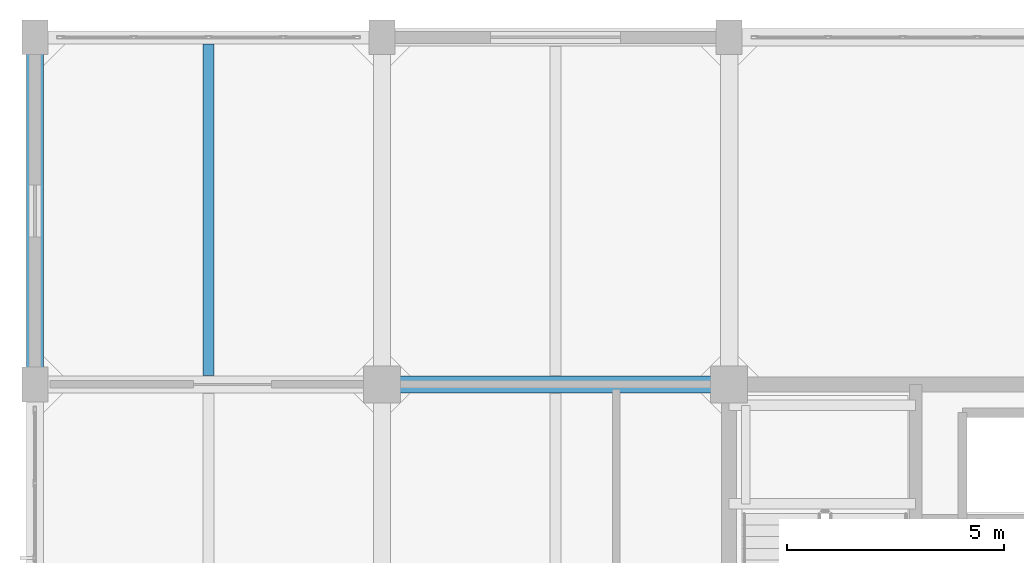
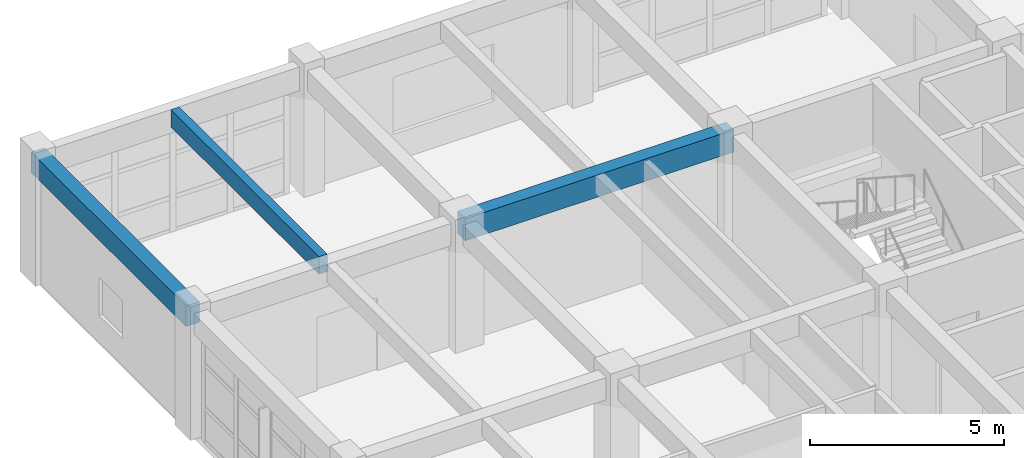
# One storey, part 14 of 30: 3 beams.
"""IFC4 building model written with IfcOpenShell, lengths in metres."""

from ifc_helpers import new_model, si_unit, direction, frame, origin, origin_2d, place, context, subcontext, project, spatial, rectangle, extrude, material, material_profile, profile_set, type_object, element, save


model = new_model("IFC4")

# Units and contexts
model_context = context("Model", 3, precision=1e-05, world=origin(), true_north=direction((0.0, 1.0)))
body_context = subcontext(model_context, "Body", "Model", "MODEL_VIEW")
ifc_project = project(units=[si_unit("LENGTHUNIT", "METRE"), si_unit("AREAUNIT", "SQUARE_METRE"), si_unit("VOLUMEUNIT", "CUBIC_METRE"), si_unit("PLANEANGLEUNIT", "RADIAN"), si_unit("MASSUNIT", "GRAM", prefix="KILO")], contexts=[model_context])

# Site, building, storey
site_placement = place(None, origin())
site = spatial("IfcSite", under=ifc_project, at=site_placement, CompositionType="ELEMENT")
building_placement = place(site_placement, origin())
building = spatial("IfcBuilding", under=site, at=building_placement, Name="Canggui Botanical Conservatory", CompositionType="ELEMENT")
storey_placement = place(building_placement, frame((0.0, 0.0, 27.60009765625)))
storey = spatial("IfcBuildingStorey", under=building, at=storey_placement, Name="L07", CompositionType="ELEMENT", Elevation=27.60009765625)

# Beams
ifc_material = material(Name="Concrete C35", Category="concrete")
ifc_material_profile_1 = material_profile(ifc_material, rectangle(XDim=0.25, YDim=0.550048828125, at=origin_2d()), Name="RB 250x550")
ifc_profile_set_1 = profile_set([ifc_material_profile_1], Name="Concrete C35")
beam_type_1 = type_object("IfcBeamType", Name="BM-JST03", PredefinedType="JOIST", material=ifc_profile_set_1)
beam_1_placement = place(storey_placement, frame((142.0, 66.205078125, 3.684814453125), z_axis=(0.0, 1.0, 0.0), x_axis=(-1.0, 0.0, 0.0)))
element("IfcBeam", 1, at=beam_1_placement, inside=storey, type_object=beam_type_1, Name="Secondary Floor Joist L07-1-5", PredefinedType="JOIST", context=body_context, shape_type="SweptSolid", body=[
    extrude(rectangle(XDim=0.25, YDim=0.550048828125, at=origin_2d()), origin(), (0.0, 0.0, 1.0), 7.639892578125),
])
ifc_material_profile_2 = material_profile(ifc_material, rectangle(XDim=0.39990234375, YDim=0.699951171875, at=origin_2d()), Name="RB 400x700")
ifc_profile_set_2 = profile_set([ifc_material_profile_2], Name="Concrete C35")
beam_type_2 = type_object("IfcBeamType", Name="BM-KL11", PredefinedType="BEAM", material=ifc_profile_set_2)
beam_2_placement = place(storey_placement, frame((146.0, 66.0, 3.60986328125), z_axis=(1.0, 0.0, 0.0), x_axis=(0.0, 1.0, 0.0)))
element("IfcBeam", 2, at=beam_2_placement, inside=storey, type_object=beam_type_2, Name="Frame Girder L07 Y66-2", PredefinedType="BEAM", context=body_context, shape_type="SweptSolid", body=[
    extrude(rectangle(XDim=0.39990234375, YDim=0.699951171875, at=origin_2d()), origin(), (0.0, 0.0, 1.0), 8.0),
])
ifc_material_profile_3 = material_profile(ifc_material, rectangle(XDim=0.39990234375, YDim=0.64990234375, at=origin_2d()), Name="RB 400x650")
ifc_profile_set_3 = profile_set([ifc_material_profile_3], Name="Concrete C35")
beam_type_3 = type_object("IfcBeamType", Name="BM-KL12", PredefinedType="BEAM", material=ifc_profile_set_3)
beam_3_placement = place(storey_placement, frame((138.0, 66.0, 3.635009765625), z_axis=(0.0, 1.0, 0.0), x_axis=(-1.0, 0.0, 0.0)))
element("IfcBeam", 3, at=beam_3_placement, inside=storey, type_object=beam_type_3, Name="Frame Girder L07 X138-5", PredefinedType="BEAM", context=body_context, shape_type="SweptSolid", body=[
    extrude(rectangle(XDim=0.39990234375, YDim=0.64990234375, at=origin_2d()), origin(), (0.0, 0.0, 1.0), 8.0),
])

save(model, "model.ifc")
